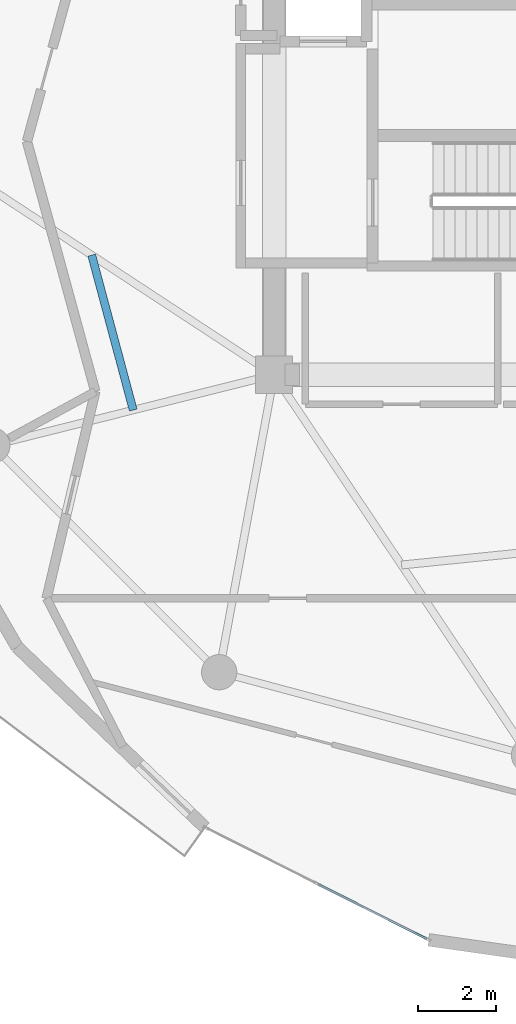
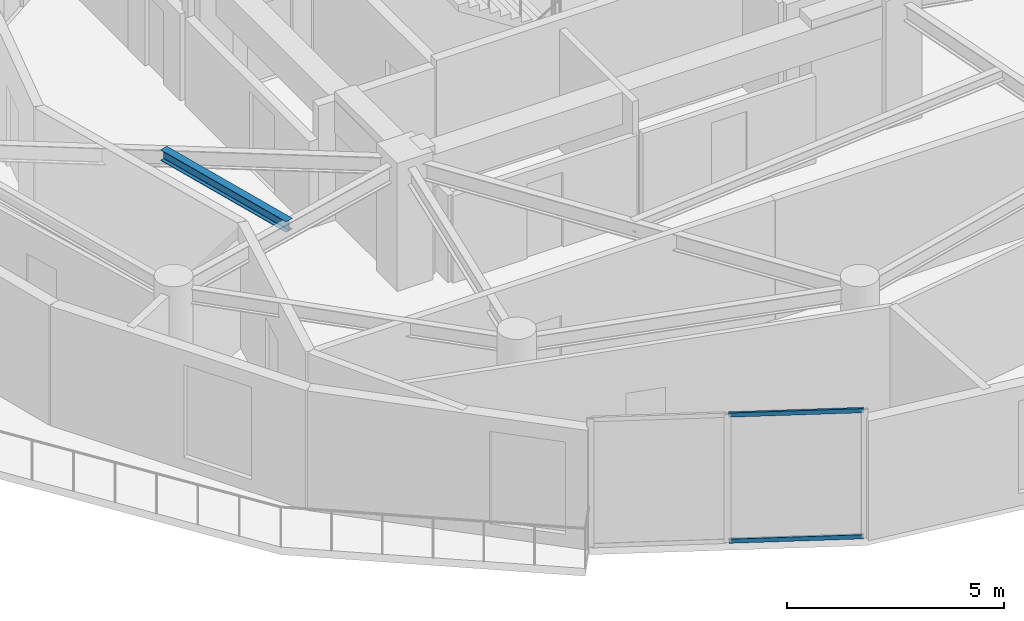
# One storey, part 3 of 19: 2 members, 1 beam, 1 element without a shape of its own.
"""IFC4 building model written with IfcOpenShell, lengths in metres."""

from ifc_helpers import new_model, si_unit, direction, frame, origin, origin_2d, place, context, subcontext, project, spatial, hollow_rectangle, i_section, extrude, source, transform, mapped, material, layer, layer_set, material_profile, profile_set, type_object, element, aggregate, save


model = new_model("IFC4")

# Units and contexts
model_context = context("Model", 3, precision=1e-05, world=origin(), true_north=direction((0.0, 1.0)))
body_context = subcontext(model_context, "Body", "Model", "MODEL_VIEW")
ifc_project = project(units=[si_unit("LENGTHUNIT", "METRE"), si_unit("AREAUNIT", "SQUARE_METRE"), si_unit("VOLUMEUNIT", "CUBIC_METRE"), si_unit("PLANEANGLEUNIT", "RADIAN"), si_unit("MASSUNIT", "GRAM", prefix="KILO")], contexts=[model_context])

# Site, building, storey
site_placement = place(None, origin())
site = spatial("IfcSite", under=ifc_project, at=site_placement, CompositionType="ELEMENT")
building_placement = place(site_placement, origin())
building = spatial("IfcBuilding", under=site, at=building_placement, Name="Solvirekh Grand Hotel", CompositionType="ELEMENT")
storey_placement = place(building_placement, frame((0.0, 0.0, 212.800048828125)))
storey = spatial("IfcBuildingStorey", under=building, at=storey_placement, Name="L55", CompositionType="ELEMENT", Elevation=212.800048828125)

# Beam
ifc_material_1 = material(Name="Steel S355", Category="steel")
ifc_material_profile_1 = material_profile(ifc_material_1, i_section(OverallWidth=0.202880859375, OverallDepth=0.302978515625, WebThickness=0.008056640625, FlangeThickness=0.012939453125, FilletRadius=0.010009765625, at=origin_2d()), Name="W310X60")
ifc_profile_set_1 = profile_set([ifc_material_profile_1], Name="Steel S355")
beam_type = type_object("IfcBeamType", Name="Joist_Floor_W310", PredefinedType="JOIST", material=ifc_profile_set_1)
beam_placement = place(storey_placement, frame((-11.14990234375, -3.050048828125, 3.2080078125), z_axis=(0.25892209236, -0.965898208968, 0.0), x_axis=(0.965898208968, 0.25892209236, 0.0)))
element("IfcBeam", 1, at=beam_placement, inside=storey, type_object=beam_type, Name="L55 secondary composite floor joist 7", PredefinedType="JOIST", context=body_context, shape_type="SweptSolid", body=[
    extrude(i_section(OverallWidth=0.202880859375, OverallDepth=0.302978515625, WebThickness=0.008056640625, FlangeThickness=0.012939453125, FilletRadius=0.010009765625, at=origin_2d()), origin(), (0.0, 0.0, 1.0), 4.08935546875),
])

# Curtain wall, members
ifc_material_2 = material(Name="Anodized Bronze Aluminium 6063-T6", Category="aluminium")
ifc_layer = layer(ifc_material_2, 0.159912109375)
ifc_layer_set = layer_set([ifc_layer], Name="Anodized Bronze Aluminium 6063-T6")
curtain_wall_type = type_object("IfcCurtainWallType", Name="CW_Sys4_HighZoneFlushBronzeCW", PredefinedType="NOTDEFINED", material=ifc_layer_set)
curtain_wall_placement = place(storey_placement, origin())
curtain_wall = element("IfcCurtainWall", 2, at=curtain_wall_placement, inside=storey, type_object=curtain_wall_type, Name="L55 unitised bronze-glass curtain wall CW-L55-C18", PredefinedType="NOTDEFINED")
ifc_material_profile_2 = material_profile(ifc_material_2, hollow_rectangle(XDim=0.054931640625, YDim=0.1201171875, WallThickness=0.00390625, at=origin_2d()), Name="ALU RHS 120X55X4")
ifc_profile_set_2 = profile_set([ifc_material_profile_2], Name="Anodized Bronze Aluminium 6063-T6")
member_type = type_object("IfcMemberType", Name="CWTransom_Sys4", PredefinedType="USERDEFINED", material=ifc_profile_set_2)
shared_shape = source(origin(), body_context, "Body", "SweptSolid", [
    extrude(hollow_rectangle(XDim=0.054931640625, YDim=0.1201171875, WallThickness=0.00390625, at=origin_2d()), origin(), (0.0, 0.0, 1.0), 3.104736328125),
])
member_1_placement = place(storey_placement, frame((-5.38330078125, -19.0869140625, 0.02734375), z_axis=(0.893371000747, -0.449319769234, 0.0), x_axis=(0.449319769234, 0.893371000747, 0.0)))
member_1 = element("IfcMember", 3, at=member_1_placement, type_object=member_type, Name="U04 transom 2.1", ObjectType="TRANSOM", PredefinedType="USERDEFINED", context=body_context, shape_type="MappedRepresentation", body=[
    mapped(shared_shape, transform((0.0, 0.0, 0.0), x_axis=(1.0, 0.0, 0.0), y_axis=(0.0, 1.0, 0.0), z_axis=(0.0, 0.0, 1.0), scale=1.0)),
])
member_2_placement = place(storey_placement, frame((-5.38330078125, -19.0869140625, 3.572509765625), z_axis=(0.893371000747, -0.449319769234, 0.0), x_axis=(0.449319769234, 0.893371000747, 0.0)))
member_2 = element("IfcMember", 4, at=member_2_placement, type_object=member_type, Name="U04 transom 2.2", ObjectType="TRANSOM", PredefinedType="USERDEFINED", context=body_context, shape_type="MappedRepresentation", body=[
    mapped(shared_shape, transform((0.0, 0.0, 0.0), x_axis=(1.0, 0.0, 0.0), y_axis=(0.0, 1.0, 0.0), z_axis=(0.0, 0.0, 1.0), scale=1.0)),
])
aggregate(curtain_wall, [member_1, member_2])

save(model, "model.ifc")
